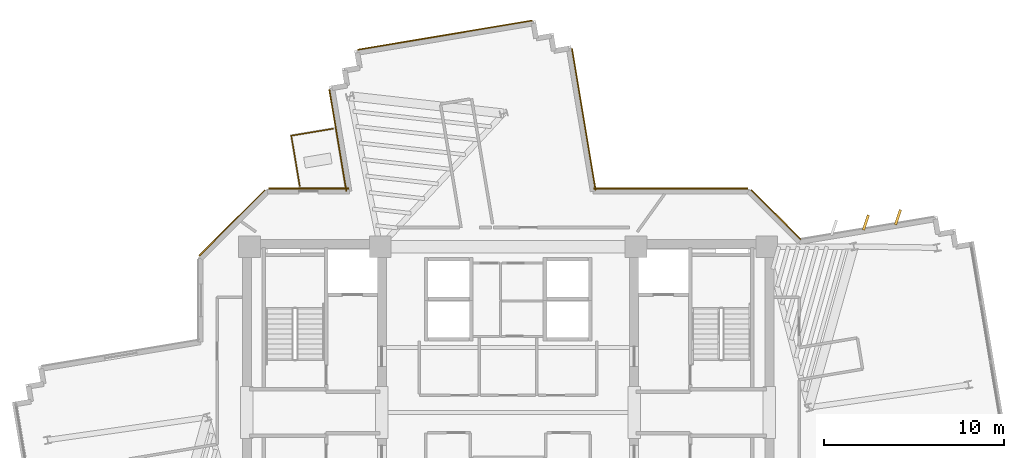
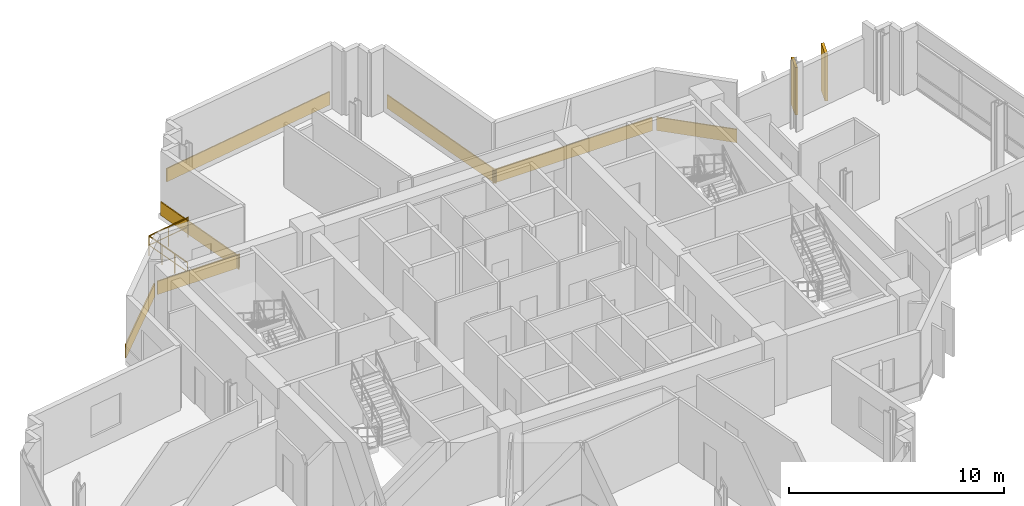
# One storey, part 15 of 15: 9 coverings, 2 railings.
"""IFC4 building model written with IfcOpenShell, lengths in metres."""

import ifcopenshell
import ifcopenshell.guid

model = None  # the IFC model being written
_history = None  # IfcOwnerHistory: only IFC2X3 demands one
_inside = {}  # id of a spatial element -> (the spatial element, [elements in it])
_under = {}  # id of a project, library or spatial element -> (it, [spatial elements below it])
_declared = {}  # id of a project -> (the project, [libraries it declares])
_typed = {}  # id of a type object -> (the type object, [elements of that type])
_made_of = {}  # id of a material, layer set ... -> (it, [elements and type objects made of it])


def new_model(schema):
    """Start an empty IFC model of exactly this schema.

    Asked for "IFC4X3", IfcOpenShell would pick the latest addendum, in which some entities
    have other attributes; the version numbers below select the first issue.
    IFC2X3 requires an IfcOwnerHistory on every rooted entity: one is made here for all.
    """
    global model, _history
    if schema == "IFC4X3":
        model = ifcopenshell.file(schema_version=(4, 3, 0, 0))
    else:
        model = ifcopenshell.file(schema=schema)
    _inside.clear()
    _under.clear()
    _declared.clear()
    _typed.clear()
    _made_of.clear()
    _history = None
    if model.schema == "IFC2X3":
        org = make("IfcOrganization", Name="unknown")
        user = make(
            "IfcPersonAndOrganization",
            ThePerson=make("IfcPerson", FamilyName="unknown"),
            TheOrganization=org,
        )
        app = make(
            "IfcApplication",
            ApplicationDeveloper=org,
            Version="unknown",
            ApplicationFullName="unknown",
            ApplicationIdentifier="unknown",
        )
        _history = make(
            "IfcOwnerHistory",
            OwningUser=user,
            OwningApplication=app,
            ChangeAction="ADDED",
            CreationDate=0,
        )
    return model


def make(cls, **values):
    """One entity of the class cls with the attributes given. An attribute that is None is left unset."""
    return model.create_entity(
        cls, **{name: value for name, value in values.items() if value is not None}
    )


def rooted(cls, **values):
    """An entity with a GlobalId (a new one), such as an element, a storey or a relation."""
    return make(cls, GlobalId=ifcopenshell.guid.new(), OwnerHistory=_history, **values)


def si_unit(unit_type, name, prefix=None):
    """IfcSIUnit, for example si_unit("LENGTHUNIT", "METRE", prefix="MILLI")."""
    return make("IfcSIUnit", UnitType=unit_type, Prefix=prefix, Name=name)


def assignment(units):
    """IfcUnitAssignment: the units of a project."""
    return None if units is None else make("IfcUnitAssignment", Units=units)


def point(xyz):
    """IfcCartesianPoint."""
    return None if xyz is None else make("IfcCartesianPoint", Coordinates=xyz)


def direction(xyz):
    """IfcDirection."""
    return None if xyz is None else make("IfcDirection", DirectionRatios=xyz)


def frame(location, z_axis=None, x_axis=None):
    """IfcAxis2Placement3D, a coordinate frame: its origin and axes. An axis left out is left unset."""
    return make(
        "IfcAxis2Placement3D",
        Location=point(location),
        Axis=direction(z_axis),
        RefDirection=direction(x_axis),
    )


def frame_2d(location, x_axis=None):
    """IfcAxis2Placement2D, a coordinate frame in the plane: its origin and x axis."""
    return make(
        "IfcAxis2Placement2D", Location=point(location), RefDirection=direction(x_axis)
    )


def origin():
    """The frame at (0, 0, 0) with its axes left unset."""
    return frame((0.0, 0.0, 0.0))


def origin_2d():
    """The frame at (0, 0) in the plane with its x axis left unset."""
    return frame_2d((0.0, 0.0))


def place(relative_to, where):
    """IfcLocalPlacement: puts the frame where relative to a parent placement (None: the world)."""
    return make(
        "IfcLocalPlacement", PlacementRelTo=relative_to, RelativePlacement=where
    )


def context(
    kind, dimensions, precision=None, world=None, true_north=None, identifier=None
):
    """IfcGeometricRepresentationContext, for example the 3D "Model" context."""
    return make(
        "IfcGeometricRepresentationContext",
        ContextIdentifier=identifier,
        ContextType=kind,
        CoordinateSpaceDimension=dimensions,
        Precision=precision,
        WorldCoordinateSystem=world,
        TrueNorth=true_north,
    )


def subcontext(parent, identifier, kind, view, scale=None):
    """IfcGeometricRepresentationSubContext, for example "Body" below "Model"."""
    return make(
        "IfcGeometricRepresentationSubContext",
        ContextIdentifier=identifier,
        ContextType=kind,
        ParentContext=parent,
        TargetScale=scale,
        TargetView=view,
    )


def project(units=None, contexts=None):
    """IfcProject with its units and contexts."""
    return rooted(
        "IfcProject",
        Name="project",
        RepresentationContexts=contexts,
        UnitsInContext=assignment(units),
    )


def spatial(cls, under=None, at=None, **own):
    """A site, building, storey or space (cls), placed at a placement, below another one or the project."""
    s = rooted(cls, ObjectPlacement=at, **own)
    if under is not None:
        _under.setdefault(under.id(), (under, []))[1].append(s)
    return s


def profile(cls, at=None, kind="AREA", **sizes):
    """A parametric profile (cls). Its sizes go by their IFC names, for example OverallWidth=200.0."""
    return make(cls, ProfileType=kind, Position=at, **sizes)


def rectangle(**sizes):
    """IfcRectangleProfileDef."""
    return profile("IfcRectangleProfileDef", **sizes)


def extrude(swept, where, along, depth):
    """IfcExtrudedAreaSolid: the profile swept, set in the frame where, extruded along a direction by depth."""
    return make(
        "IfcExtrudedAreaSolid",
        SweptArea=swept,
        Position=where,
        ExtrudedDirection=direction(along),
        Depth=depth,
    )


def shape(context_of_items, identifier, shape_type, items):
    """IfcShapeRepresentation: the items that make up one representation, for example the "Body"."""
    return make(
        "IfcShapeRepresentation",
        ContextOfItems=context_of_items,
        RepresentationIdentifier=identifier,
        RepresentationType=shape_type,
        Items=items,
    )


def source(mapping_origin, context_of_items, identifier, shape_type, items):
    """IfcRepresentationMap: a shape defined once, which mapped items show again and again."""
    return make(
        "IfcRepresentationMap",
        MappingOrigin=mapping_origin,
        MappedRepresentation=shape(context_of_items, identifier, shape_type, items),
    )


def transform(
    local_origin,
    x_axis=None,
    y_axis=None,
    z_axis=None,
    scale=None,
    scale2=None,
    scale3=None,
    uniform=True,
):
    """IfcCartesianTransformationOperator3D, or its non-uniform kind. x_axis, y_axis, z_axis: its Axis1, 2, 3."""
    if uniform:
        return make(
            "IfcCartesianTransformationOperator3D",
            Axis1=direction(x_axis),
            Axis2=direction(y_axis),
            LocalOrigin=point(local_origin),
            Scale=scale,
            Axis3=direction(z_axis),
        )
    return make(
        "IfcCartesianTransformationOperator3DnonUniform",
        Axis1=direction(x_axis),
        Axis2=direction(y_axis),
        LocalOrigin=point(local_origin),
        Scale=scale,
        Axis3=direction(z_axis),
        Scale2=scale2,
        Scale3=scale3,
    )


def mapped(mapping_source, mapping_target):
    """IfcMappedItem: shows the shape of a source again, moved by a transform."""
    return make(
        "IfcMappedItem", MappingSource=mapping_source, MappingTarget=mapping_target
    )


def material(Name=None, Category=None):
    """IfcMaterial."""
    return make("IfcMaterial", Name=Name, Category=Category)


def layer(
    of_material, thickness, ventilated=None, Name=None, Category=None, Priority=None
):
    """IfcMaterialLayer: one layer of a wall or slab, of a material (None: an air gap)."""
    return make(
        "IfcMaterialLayer",
        Material=of_material,
        LayerThickness=thickness,
        IsVentilated=ventilated,
        Name=Name,
        Category=Category,
        Priority=Priority,
    )


def layer_set(layers, Name=None):
    """IfcMaterialLayerSet."""
    return make("IfcMaterialLayerSet", MaterialLayers=layers, LayerSetName=Name)


def made_of(thing, what):
    """Note that an element or type object is made of a material, layer set ...; save() writes the relation."""
    if what is not None:
        _made_of.setdefault(what.id(), (what, []))[1].append(thing)
    return thing


def type_object(cls, material=None, **own):
    """A type object (cls), such as IfcWallType, which elements share."""
    return made_of(rooted(cls, **own), material)


def element(
    cls,
    number,
    at=None,
    inside=None,
    cuts=None,
    type_object=None,
    material=None,
    context=None,
    identifier="Body",
    shape_type=None,
    held_by="IfcProductDefinitionShape",
    body=None,
    shapes=None,
    **own,
):
    """One element of the class cls, such as IfcWall. Its Tag is "e" and its number.

    at: its placement. inside: the storey or other place that contains it. cuts: it is an
    opening in that element (IfcRelVoidsElement). A single representation is given by context,
    identifier, shape_type and body (its items); several are given by shapes. held_by: the class
    of the entity that holds the representations. save() writes the other relations.
    """
    e = rooted(cls, Tag="e%d" % number, ObjectPlacement=at, **own)
    if body is not None:
        shapes = [shape(context, identifier, shape_type, body)]
    if shapes is not None:
        e.Representation = make(held_by, Representations=shapes)
    if inside is not None:
        _inside.setdefault(inside.id(), (inside, []))[1].append(e)
    if cuts is not None:
        rooted(
            "IfcRelVoidsElement", RelatingBuildingElement=cuts, RelatedOpeningElement=e
        )
    if type_object is not None:
        _typed.setdefault(type_object.id(), (type_object, []))[1].append(e)
    return made_of(e, material)


def aggregate(whole, parts):
    """IfcRelAggregates: a whole, such as a stair, and the parts it consists of."""
    return rooted("IfcRelAggregates", RelatingObject=whole, RelatedObjects=parts)


def save(model, path):
    """Write the relations noted so far, then the file.

    IfcRelAggregates (storeys below a building ...), IfcRelContainedInSpatialStructure (elements
    in a storey), IfcRelDefinesByType, IfcRelAssociatesMaterial and IfcRelDeclares: one each for
    every whole, place, type object, material and project.
    """
    for whole, parts in _under.values():
        aggregate(whole, parts)
    for where, things in _inside.values():
        rooted(
            "IfcRelContainedInSpatialStructure",
            RelatedElements=things,
            RelatingStructure=where,
        )
    for kind, things in _typed.values():
        rooted("IfcRelDefinesByType", RelatedObjects=things, RelatingType=kind)
    for what, things in _made_of.values():
        rooted("IfcRelAssociatesMaterial", RelatedObjects=things, RelatingMaterial=what)
    for by, libraries in _declared.values():
        rooted("IfcRelDeclares", RelatingContext=by, RelatedDefinitions=libraries)
    model.write(path)


model = new_model("IFC4")

# Units and contexts
model_context = context("Model", 3, precision=1e-05, world=origin(), true_north=direction((0.0, 1.0)))
body_context = subcontext(model_context, "Body", "Model", "MODEL_VIEW")
ifc_project = project(units=[si_unit("LENGTHUNIT", "METRE"), si_unit("AREAUNIT", "SQUARE_METRE"), si_unit("VOLUMEUNIT", "CUBIC_METRE"), si_unit("PLANEANGLEUNIT", "RADIAN"), si_unit("MASSUNIT", "GRAM", prefix="KILO")], contexts=[model_context])

# Site, building, storey
site_placement = place(None, origin())
site = spatial("IfcSite", under=ifc_project, at=site_placement, CompositionType="ELEMENT")
building_placement = place(site_placement, origin())
building = spatial("IfcBuilding", under=site, at=building_placement, Name="Zahravan Cultural Tower", CompositionType="ELEMENT")
storey_placement = place(building_placement, frame((0.0, 0.0, 143.39990234375)))
storey = spatial("IfcBuildingStorey", under=building, at=storey_placement, Name="L32", CompositionType="ELEMENT", Elevation=143.39990234375)

# Railings
ifc_material_1 = material(Name="Steel ASTM A572 Grade 50", Category="steel")
railing_type = type_object("IfcRailingType", Name="RL-BAL-1150", PredefinedType="BALUSTRADE", material=ifc_material_1)
railing_1_placement = place(storey_placement, frame((23.970703125, 42.355224609375, 0.0)))
element("IfcRailing", 1, at=railing_1_placement, inside=storey, type_object=railing_type, Name="L32 Edge Balustrade GRD-TR-L32-NW-01", PredefinedType="BALUSTRADE", context=body_context, shape_type="SweptSolid", body=[
    extrude(rectangle(XDim=0.05, YDim=0.05, at=origin_2d()), frame((0.0, 0.0, 1.125), z_axis=(0.986278554685, 0.16508971067, 0.0), x_axis=(-0.16508971067, 0.986278554685, 0.0)), (0.0, 0.0, 1.0), 2.349853515625),
    extrude(rectangle(XDim=0.032, YDim=0.032, at=origin_2d()), frame((0.0, 0.0, 0.597900390625), z_axis=(0.986278554685, 0.16508971067, 0.0), x_axis=(-0.16508971067, 0.986278554685, 0.0)), (0.0, 0.0, 1.0), 2.349853515625),
    extrude(rectangle(XDim=0.04, YDim=0.04, at=origin_2d()), origin(), (0.0, 0.0, 1.0), 1.14990234375),
    extrude(rectangle(XDim=0.04, YDim=0.04, at=origin_2d()), frame((1.15869140625, 0.19384765625, 0.0)), (0.0, 0.0, 1.0), 1.14990234375),
    extrude(rectangle(XDim=0.04, YDim=0.04, at=origin_2d()), frame((2.317626953125, 0.387939453125, 0.0)), (0.0, 0.0, 1.0), 1.14990234375),
])
railing_2_placement = place(storey_placement, frame((24.43505859375, 39.580078125, 0.0)))
element("IfcRailing", 2, at=railing_2_placement, inside=storey, type_object=railing_type, Name="L32 Edge Balustrade GRD-TR-L32-NW-02", PredefinedType="BALUSTRADE", context=body_context, shape_type="SweptSolid", body=[
    extrude(rectangle(XDim=0.05, YDim=0.05, at=origin_2d()), frame((0.0, 0.0, 1.125), z_axis=(-0.165032122976, 0.986288192359, 0.0), x_axis=(-0.986288192359, -0.165032122976, 0.0)), (0.0, 0.0, 1.0), 2.813720703125),
    extrude(rectangle(XDim=0.032, YDim=0.032, at=origin_2d()), frame((0.0, 0.0, 0.597900390625), z_axis=(-0.165032122976, 0.986288192359, 0.0), x_axis=(-0.986288192359, -0.165032122976, 0.0)), (0.0, 0.0, 1.0), 2.813720703125),
    extrude(rectangle(XDim=0.04, YDim=0.04, at=origin_2d()), origin(), (0.0, 0.0, 1.0), 1.14990234375),
    extrude(rectangle(XDim=0.04, YDim=0.04, at=origin_2d()), frame((-0.15478515625, 0.925048828125, 0.0)), (0.0, 0.0, 1.0), 1.14990234375),
    extrude(rectangle(XDim=0.04, YDim=0.04, at=origin_2d()), frame((-0.3095703125, 1.85009765625, 0.0)), (0.0, 0.0, 1.0), 1.14990234375),
    extrude(rectangle(XDim=0.04, YDim=0.04, at=origin_2d()), frame((-0.46435546875, 2.775146484375, 0.0)), (0.0, 0.0, 1.0), 1.14990234375),
])

# Coverings
ifc_material_2 = material(Name="Terracotta ceramic cladding", Category="masonry")
ifc_layer = layer(ifc_material_2, 0.06005859375)
ifc_layer_set = layer_set([ifc_layer], Name="Terracotta ceramic cladding")
covering_type = type_object("IfcCoveringType", Name="COV-CLAD-TC60", PredefinedType="CLADDING", material=ifc_layer_set)
shared_shape_1 = source(origin(), body_context, "Body", "SweptSolid", [
    extrude(rectangle(XDim=9.820068359375, YDim=0.06005859375, at=origin_2d()), origin(), (0.0, 0.0, 1.0), 0.760009765625),
])
covering_1_placement = place(storey_placement, frame((32.496826171875, 47.933837890625, 0.02001953125), z_axis=(0.0, 0.0, 1.0), x_axis=(0.986285601537, 0.165047605861, 0.0)))
element("IfcCovering", 3, at=covering_1_placement, inside=storey, type_object=covering_type, Name="L32 Terracotta Spandrel Cladding 45", PredefinedType="CLADDING", context=body_context, shape_type="MappedRepresentation", body=[
    mapped(shared_shape_1, transform((0.0, 0.0, 0.0), x_axis=(1.0, 0.0, 0.0), y_axis=(0.0, 1.0, 0.0), z_axis=(0.0, 0.0, 1.0), scale=1.0)),
])
shared_shape_2 = source(origin(), body_context, "Body", "SweptSolid", [
    extrude(rectangle(XDim=5.157958984375, YDim=0.06005859375, at=origin_2d()), origin(), (0.0, 0.0, 1.0), 0.760009765625),
])
covering_2_placement = place(storey_placement, frame((20.682373046875, 37.517578125, 0.02001953125), z_axis=(0.0, 0.0, 1.0), x_axis=(0.707106781187, 0.707106781187, 0.0)))
element("IfcCovering", 4, at=covering_2_placement, inside=storey, type_object=covering_type, Name="L32 Terracotta Spandrel Cladding 38", PredefinedType="CLADDING", context=body_context, shape_type="MappedRepresentation", body=[
    mapped(shared_shape_2, transform((0.0, 0.0, 0.0), x_axis=(1.0, 0.0, 0.0), y_axis=(0.0, 1.0, 0.0), z_axis=(0.0, 0.0, 1.0), scale=1.0)),
])
shared_shape_3 = source(origin(), body_context, "Body", "SweptSolid", [
    extrude(rectangle(XDim=0.8798828125, YDim=0.139892578125, at=origin_2d()), origin(), (0.0, 0.0, 1.0), 2.699951171875),
])
for number, where, z_axis, x_axis, name in (
    (5, (55.857177734375, 37.53173828125, 0.05029296875), (0.0, 0.0, 1.0), (0.317304656405, 0.948323655206, 0.0), "L32 Herringbone Terracotta Fin 02"),
    (6, (57.632568359375, 37.828857421875, 0.05029296875), (0.0, 0.0, 1.0), (0.317304656405, 0.948323655206, 0.0), "L32 Herringbone Terracotta Fin 03"),
):
    element("IfcCovering", number, at=place(storey_placement, frame(where, z_axis=z_axis, x_axis=x_axis)), inside=storey, type_object=covering_type, Name=name, PredefinedType="CLADDING", context=body_context, shape_type="MappedRepresentation", body=[
        mapped(shared_shape_3, transform((0.0, 0.0, 0.0), x_axis=(1.0, 0.0, 0.0), y_axis=(0.0, 1.0, 0.0), z_axis=(0.0, 0.0, 1.0), scale=1.0)),
    ])
shared_shape_4 = source(origin(), body_context, "Body", "SweptSolid", [
    extrude(rectangle(XDim=4.437744140625, YDim=0.06005859375, at=origin_2d()), origin(), (0.0, 0.0, 1.0), 0.760009765625),
])
covering_3_placement = place(storey_placement, frame((24.927001953125, 39.425048828125, 0.02001953125), z_axis=(0.0, 0.0, 1.0), x_axis=(1.0, 0.0, 0.0)))
element("IfcCovering", 7, at=covering_3_placement, inside=storey, type_object=covering_type, Name="L32 Terracotta Spandrel Cladding 39", PredefinedType="CLADDING", context=body_context, shape_type="MappedRepresentation", body=[
    mapped(shared_shape_4, transform((0.0, 0.0, 0.0), x_axis=(1.0, 0.0, 0.0), y_axis=(0.0, 1.0, 0.0), z_axis=(0.0, 0.0, 1.0), scale=1.0)),
])
shared_shape_5 = source(origin(), body_context, "Body", "SweptSolid", [
    extrude(rectangle(XDim=5.715087890625, YDim=0.06005859375, at=origin_2d()), origin(), (0.0, 0.0, 1.0), 0.760009765625),
])
covering_4_placement = place(storey_placement, frame((26.55322265625, 42.100341796875, 0.02001953125), z_axis=(0.0, 0.0, 1.0), x_axis=(-0.165064819767, 0.986282720763, 0.0)))
element("IfcCovering", 8, at=covering_4_placement, inside=storey, type_object=covering_type, Name="L32 Terracotta Spandrel Cladding 40", PredefinedType="CLADDING", context=body_context, shape_type="MappedRepresentation", body=[
    mapped(shared_shape_5, transform((0.0, 0.0, 0.0), x_axis=(1.0, 0.0, 0.0), y_axis=(0.0, 1.0, 0.0), z_axis=(0.0, 0.0, 1.0), scale=1.0)),
])
shared_shape_6 = source(origin(), body_context, "Body", "SweptSolid", [
    extrude(rectangle(XDim=7.944091796875, YDim=0.06005859375, at=origin_2d()), origin(), (0.0, 0.0, 1.0), 0.760009765625),
])
covering_5_placement = place(storey_placement, frame((40.199951171875, 43.254150390625, 0.02001953125), z_axis=(0.0, 0.0, 1.0), x_axis=(0.165047605861, -0.986285601537, 0.0)))
element("IfcCovering", 9, at=covering_5_placement, inside=storey, type_object=covering_type, Name="L32 Terracotta Spandrel Cladding 50", PredefinedType="CLADDING", context=body_context, shape_type="MappedRepresentation", body=[
    mapped(shared_shape_6, transform((0.0, 0.0, 0.0), x_axis=(1.0, 0.0, 0.0), y_axis=(0.0, 1.0, 0.0), z_axis=(0.0, 0.0, 1.0), scale=1.0)),
])
shared_shape_7 = source(origin(), body_context, "Body", "SweptSolid", [
    extrude(rectangle(XDim=8.541015625, YDim=0.06005859375, at=origin_2d()), origin(), (0.0, 0.0, 1.0), 0.760009765625),
])
covering_6_placement = place(storey_placement, frame((45.021484375, 39.425048828125, 0.02001953125), z_axis=(0.0, 0.0, 1.0), x_axis=(1.0, 0.0, 0.0)))
element("IfcCovering", 10, at=covering_6_placement, inside=storey, type_object=covering_type, Name="L32 Terracotta Spandrel Cladding 51", PredefinedType="CLADDING", context=body_context, shape_type="MappedRepresentation", body=[
    mapped(shared_shape_7, transform((0.0, 0.0, 0.0), x_axis=(1.0, 0.0, 0.0), y_axis=(0.0, 1.0, 0.0), z_axis=(0.0, 0.0, 1.0), scale=1.0)),
])
shared_shape_8 = source(origin(), body_context, "Body", "SweptSolid", [
    extrude(rectangle(XDim=3.8671875, YDim=0.06005859375, at=origin_2d()), origin(), (0.0, 0.0, 1.0), 0.760009765625),
])
covering_7_placement = place(storey_placement, frame((50.861328125, 37.97412109375, 0.02001953125), z_axis=(0.0, 0.0, 1.0), x_axis=(0.707106781187, -0.707106781187, 0.0)))
element("IfcCovering", 11, at=covering_7_placement, inside=storey, type_object=covering_type, Name="L32 Terracotta Spandrel Cladding 52", PredefinedType="CLADDING", context=body_context, shape_type="MappedRepresentation", body=[
    mapped(shared_shape_8, transform((0.0, 0.0, 0.0), x_axis=(1.0, 0.0, 0.0), y_axis=(0.0, 1.0, 0.0), z_axis=(0.0, 0.0, 1.0), scale=1.0)),
])

save(model, "model.ifc")
